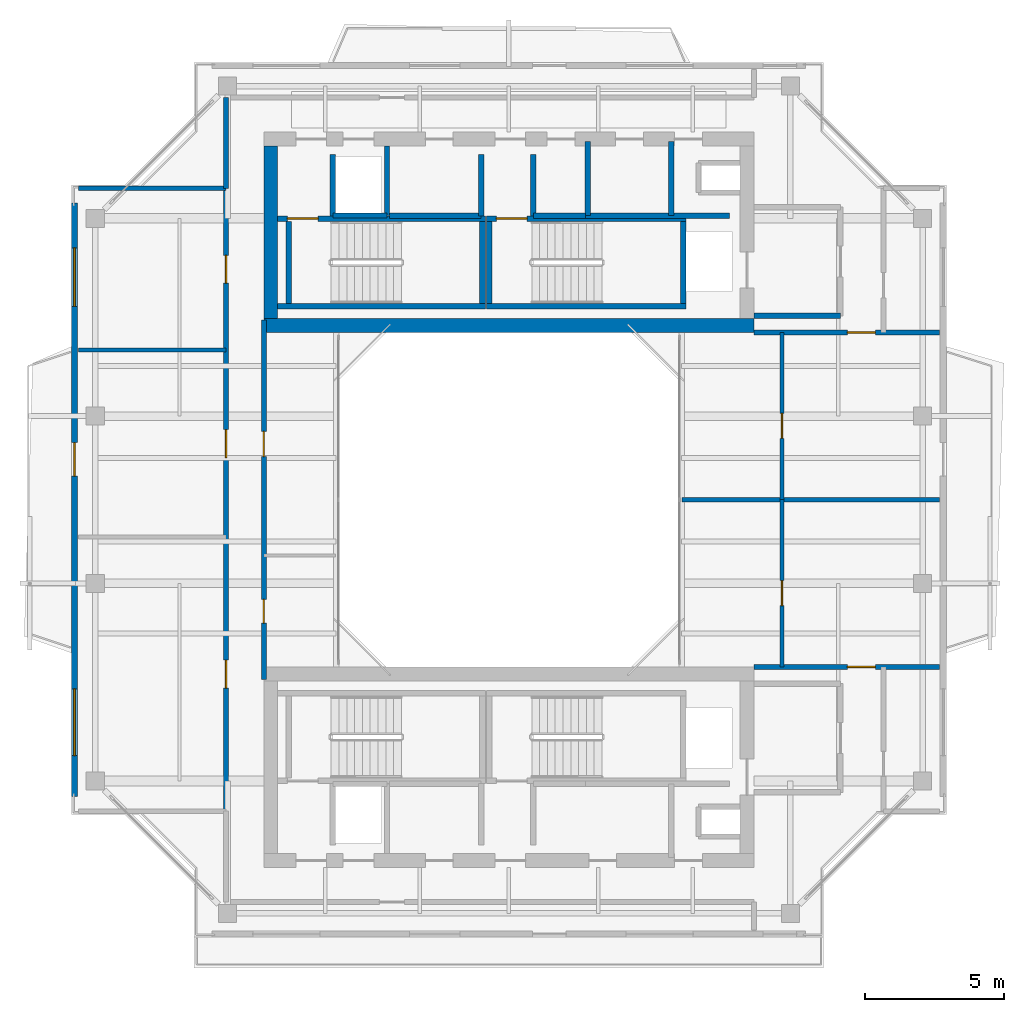
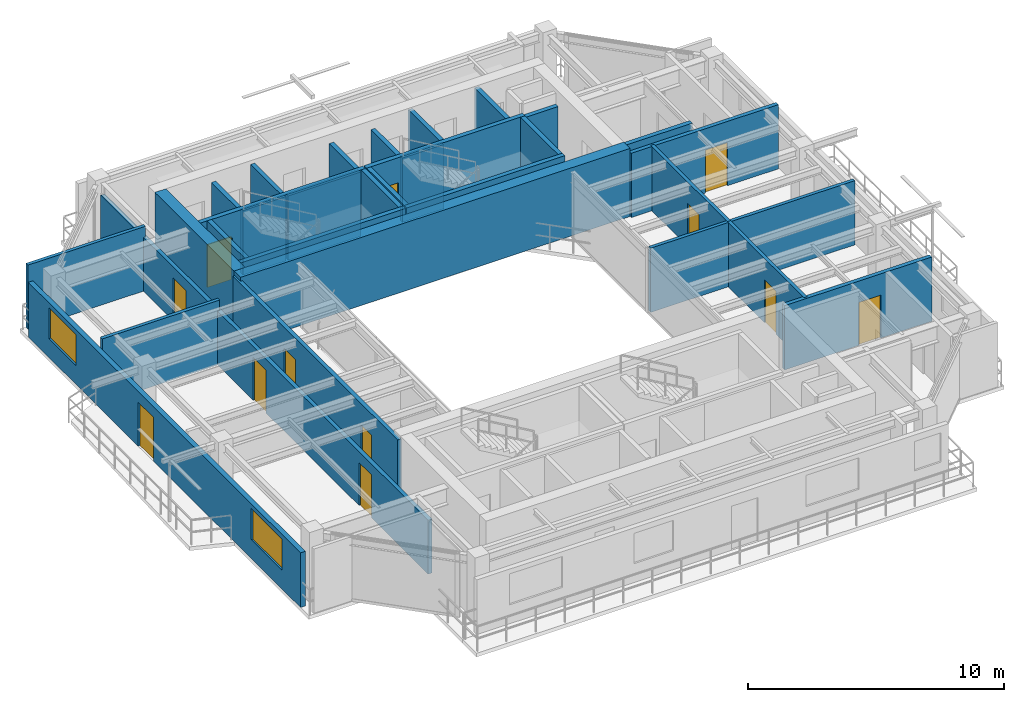
# One storey, part 10 of 15: 32 walls, 12 doors, 2 windows, 14 openings.
"""IFC4 building model written with IfcOpenShell, lengths in metres."""

from ifc_helpers import new_model, si_unit, direction, frame, frame_2d, origin, place, context, subcontext, project, spatial, rectangle, extrude, source, transform, mapped, material, layer, layer_set, type_object, element, fill, save


model = new_model("IFC4")

# Units and contexts
model_context = context("Model", 3, precision=1e-05, world=origin(), true_north=direction((0.0, 1.0)))
body_context = subcontext(model_context, "Body", "Model", "MODEL_VIEW")
ifc_project = project(units=[si_unit("LENGTHUNIT", "METRE"), si_unit("AREAUNIT", "SQUARE_METRE"), si_unit("VOLUMEUNIT", "CUBIC_METRE"), si_unit("PLANEANGLEUNIT", "RADIAN"), si_unit("MASSUNIT", "GRAM", prefix="KILO"), si_unit("THERMODYNAMICTEMPERATUREUNIT", "KELVIN"), si_unit("POWERUNIT", "WATT")], contexts=[model_context])

# Site, building, storey
site_placement = place(None, origin())
site = spatial("IfcSite", under=ifc_project, at=site_placement, CompositionType="ELEMENT")
building_placement = place(site_placement, origin())
building = spatial("IfcBuilding", under=site, at=building_placement, Name="Qiaomeng Ring Towers", CompositionType="ELEMENT")
storey_placement = place(building_placement, frame((0.0, 0.0, 237.25)))
storey = spatial("IfcBuildingStorey", under=building, at=storey_placement, Name="L69", CompositionType="ELEMENT", Elevation=237.25)

# Wall, openings, windows, door
ifc_material_1 = material(Name="Precast concrete C40", Category="concrete")
ifc_layer_1 = layer(ifc_material_1, 0.219970703125, Name="Precast concrete C40")
ifc_layer_set_1 = layer_set([ifc_layer_1], Name="Precast concrete C40")
wall_type_1 = type_object("IfcWallType", Name="ARC-WL-EW2", PredefinedType="STANDARD", material=ifc_layer_set_1)
wall_1_placement = place(storey_placement, frame((3.409912109375, 12.35009765625, 0.0), z_axis=(0.0, 0.0, 1.0), x_axis=(0.0, 1.0, 0.0)))
wall_1 = element("IfcWall", 1, at=wall_1_placement, inside=storey, type_object=wall_type_1, Name="L69 Tower 1 W Exterior Wall", PredefinedType="STANDARD", context=body_context, shape_type="SweptSolid", body=[
    extrude(rectangle(XDim=21.2998046875, YDim=0.219970703125, at=frame_2d((10.64990234375, 0.0))), origin(), (0.0, 0.0, 1.0), 2.610107421875),
])
opening_1_placement = place(wall_1_placement, frame((11.5, 0.0, 0.0)))
opening_1 = element("IfcOpeningElement", 2, at=opening_1_placement, cuts=wall_1, Name="Opening BD1", PredefinedType="OPENING", context=body_context, shape_type="SweptSolid", body=[
    extrude(rectangle(XDim=1.199951171875, YDim=2.10009765625, at=frame_2d((0.60009765625, 1.050048828125))), frame((0.0, 0.119873046875, 0.0), z_axis=(0.0, -1.0, 0.0), x_axis=(1.0, 0.0, 0.0)), (0.0, 0.0, 1.0), 0.239990234375),
])
opening_2_placement = place(wall_1_placement, frame((1.462890625, 0.0, 0.89990234375)))
opening_2 = element("IfcOpeningElement", 3, at=opening_2_placement, cuts=wall_1, Name="Opening WN6", PredefinedType="OPENING", context=body_context, shape_type="SweptSolid", body=[
    extrude(rectangle(XDim=2.39990234375, YDim=1.47998046875, at=frame_2d((1.199951171875, 0.739990234375))), frame((0.0, 0.119873046875, 0.0), z_axis=(0.0, -1.0, 0.0), x_axis=(1.0, 0.0, 0.0)), (0.0, 0.0, 1.0), 0.239990234375),
])
opening_3_placement = place(wall_1_placement, frame((17.587890625, 0.0, 0.89990234375)))
opening_3 = element("IfcOpeningElement", 4, at=opening_3_placement, cuts=wall_1, Name="Opening WN4", PredefinedType="OPENING", context=body_context, shape_type="SweptSolid", body=[
    extrude(rectangle(XDim=2.10009765625, YDim=1.47998046875, at=frame_2d((1.050048828125, 0.739990234375))), frame((0.0, 0.119873046875, 0.0), z_axis=(0.0, -1.0, 0.0), x_axis=(1.0, 0.0, 0.0)), (0.0, 0.0, 1.0), 0.239990234375),
])
ifc_material_2 = material(Name="Low-E dark-grey laminated double glazing", Category="glass")
window_type_1 = type_object("IfcWindowType", Name="ARC-WN-4", PartitioningType="TRIPLE_PANEL_VERTICAL", PredefinedType="WINDOW", material=ifc_material_2)
shared_shape_1 = source(origin(), body_context, "Body", "SweptSolid", [
    extrude(rectangle(XDim=2.10009765625, YDim=1.47998046875, at=frame_2d((1.050048828125, 0.739990234375))), frame((0.0, 0.030029296875, 0.0), z_axis=(0.0, -1.0, 0.0), x_axis=(1.0, 0.0, 0.0)), (0.0, 0.0, 1.0), 0.06005859375),
])
window_1_placement = place(opening_3_placement, origin())
window_1 = element("IfcWindow", 5, at=window_1_placement, inside=storey, type_object=window_type_1, Name="L69 Exterior Window WN4", OverallHeight=1.47998046875, OverallWidth=2.10009765625, PartitioningType="TRIPLE_PANEL_VERTICAL", PredefinedType="WINDOW", context=body_context, shape_type="MappedRepresentation", body=[
    mapped(shared_shape_1, transform((0.0, 0.0, 0.0), x_axis=(1.0, 0.0, 0.0), y_axis=(0.0, 1.0, 0.0), z_axis=(0.0, 0.0, 1.0), scale=1.0)),
])
fill(opening_3, window_1)
window_type_2 = type_object("IfcWindowType", Name="ARC-WN-6", PartitioningType="TRIPLE_PANEL_VERTICAL", PredefinedType="WINDOW", material=ifc_material_2)
shared_shape_2 = source(origin(), body_context, "Body", "SweptSolid", [
    extrude(rectangle(XDim=2.39990234375, YDim=1.47998046875, at=frame_2d((1.199951171875, 0.739990234375))), frame((0.0, 0.030029296875, 0.0), z_axis=(0.0, -1.0, 0.0), x_axis=(1.0, 0.0, 0.0)), (0.0, 0.0, 1.0), 0.06005859375),
])
window_2_placement = place(opening_2_placement, origin())
window_2 = element("IfcWindow", 6, at=window_2_placement, inside=storey, type_object=window_type_2, Name="L69 Exterior Window WN6", OverallHeight=1.47998046875, OverallWidth=2.39990234375, PartitioningType="TRIPLE_PANEL_VERTICAL", PredefinedType="WINDOW", context=body_context, shape_type="MappedRepresentation", body=[
    mapped(shared_shape_2, transform((0.0, 0.0, 0.0), x_axis=(1.0, 0.0, 0.0), y_axis=(0.0, 1.0, 0.0), z_axis=(0.0, 0.0, 1.0), scale=1.0)),
])
fill(opening_2, window_2)
door_type_1 = type_object("IfcDoorType", Name="ARC-DR-BD1", OperationType="NOTDEFINED", PredefinedType="DOOR", material=ifc_material_2)
shared_shape_3 = source(origin(), body_context, "Body", "SweptSolid", [
    extrude(rectangle(XDim=1.199951171875, YDim=2.10009765625, at=frame_2d((0.60009765625, 1.050048828125))), frame((0.0, 0.02490234375, 0.0), z_axis=(0.0, -1.0, 0.0), x_axis=(1.0, 0.0, 0.0)), (0.0, 0.0, 1.0), 0.050048828125),
])
door_1_placement = place(opening_1_placement, frame((1.199951171875, 0.0, 0.0), z_axis=(0.0, 0.0, 1.0), x_axis=(-1.0, 0.0, 0.0)))
door_1 = element("IfcDoor", 7, at=door_1_placement, inside=storey, type_object=door_type_1, Name="L69 W Balcony Glazed Door", OperationType="SINGLE_SWING_LEFT", OverallHeight=2.10009765625, OverallWidth=1.199951171875, PredefinedType="DOOR", context=body_context, shape_type="MappedRepresentation", body=[
    mapped(shared_shape_3, transform((0.0, 0.0, 0.0), x_axis=(1.0, 0.0, 0.0), y_axis=(0.0, 1.0, 0.0), z_axis=(0.0, 0.0, 1.0), scale=1.0)),
])
fill(opening_1, door_1)

# Walls
ifc_material_3 = material(Name="Autoclaved aerated concrete block", Category="concrete")
ifc_layer_2 = layer(ifc_material_3, 0.199951171875, Name="Autoclaved aerated concrete block")
ifc_layer_set_2 = layer_set([ifc_layer_2], Name="Autoclaved aerated concrete block")
wall_type_2 = type_object("IfcWallType", Name="ARC-WL-PW1", PredefinedType="PARTITIONING", material=ifc_layer_set_2)
wall_2_placement = place(storey_placement, frame((27.800048828125, 29.60009765625, 0.0), z_axis=(0.0, 0.0, 1.0), x_axis=(1.0, 0.0, 0.0)))
element("IfcWall", 8, at=wall_2_placement, inside=storey, type_object=wall_type_2, Name="L69 Interior Wall PW1", PredefinedType="PARTITIONING", context=body_context, shape_type="SweptSolid", body=[
    extrude(rectangle(XDim=3.099853515625, YDim=0.199951171875, at=frame_2d((1.5498046875, 0.0))), origin(), (0.0, 0.0, 1.0), 3.070068359375),
])
for number, where, z_axis, x_axis, name in (
    (9, (12.679931640625, 33.18994140625, 0.0), (0.0, 0.0, 1.0), (0.0, 1.0, 0.0), "L69 Interior Wall PW1"),
    (10, (18.0, 33.18994140625, 0.0), (0.0, 0.0, 1.0), (0.0, 1.0, 0.0), "L69 Interior Wall PW1"),
    (11, (19.8798828125, 33.18994140625, 0.0), (0.0, 0.0, 1.0), (0.0, 1.0, 0.0), "L69 Interior Wall PW1"),
):
    element("IfcWall", number, at=place(storey_placement, frame(where, z_axis=z_axis, x_axis=x_axis)), inside=storey, type_object=wall_type_2, Name=name, PredefinedType="PARTITIONING", context=body_context, shape_type="SweptSolid", body=[
        extrude(rectangle(XDim=2.2099609375, YDim=0.199951171875, at=frame_2d((1.10498046875, 0.0))), origin(), (0.0, 0.0, 1.0), 3.070068359375),
    ])
wall_3_placement = place(storey_placement, frame((14.719970703125, 33.199951171875, 0.0), z_axis=(0.0, 0.0, 1.0), x_axis=(1.0, 0.0, 0.0)))
element("IfcWall", 12, at=wall_3_placement, inside=storey, type_object=wall_type_2, Name="L69 Interior Wall PW1", PredefinedType="PARTITIONING", context=body_context, shape_type="SweptSolid", body=[
    extrude(rectangle(XDim=3.280029296875, YDim=0.199951171875, at=frame_2d((1.64013671875, 0.0))), origin(), (0.0, 0.0, 1.0), 3.070068359375),
])
wall_4_placement = place(storey_placement, frame((24.820068359375, 33.199951171875, 0.0), z_axis=(0.0, 0.0, 1.0), x_axis=(0.0, 1.0, 0.0)))
element("IfcWall", 13, at=wall_4_placement, inside=storey, type_object=wall_type_2, Name="L69 Interior Wall PW1", PredefinedType="PARTITIONING", context=body_context, shape_type="SweptSolid", body=[
    extrude(rectangle(XDim=2.650146484375, YDim=0.199951171875, at=frame_2d((1.3251953125, 0.0))), origin(), (0.0, 0.0, 1.0), 3.070068359375),
])
wall_5_placement = place(storey_placement, frame((19.8798828125, 33.199951171875, 0.0), z_axis=(0.0, 0.0, 1.0), x_axis=(1.0, 0.0, 0.0)))
element("IfcWall", 14, at=wall_5_placement, inside=storey, type_object=wall_type_2, Name="L69 Interior Wall PW1", PredefinedType="PARTITIONING", context=body_context, shape_type="SweptSolid", body=[
    extrude(rectangle(XDim=1.8701171875, YDim=0.199951171875, at=frame_2d((0.93505859375, 0.0))), origin(), (0.0, 0.0, 1.0), 3.070068359375),
])
wall_6_placement = place(storey_placement, frame((21.830078125, 33.199951171875, 0.0), z_axis=(0.0, 0.0, 1.0), x_axis=(0.0, 1.0, 0.0)))
element("IfcWall", 15, at=wall_6_placement, inside=storey, type_object=wall_type_2, Name="L69 Interior Wall PW1", PredefinedType="PARTITIONING", context=body_context, shape_type="SweptSolid", body=[
    extrude(rectangle(XDim=2.650146484375, YDim=0.199951171875, at=frame_2d((1.3251953125, 0.0))), origin(), (0.0, 0.0, 1.0), 3.070068359375),
])
wall_7_placement = place(storey_placement, frame((21.75, 33.199951171875, 0.0), z_axis=(0.0, 0.0, 1.0), x_axis=(1.0, 0.0, 0.0)))
element("IfcWall", 16, at=wall_7_placement, inside=storey, type_object=wall_type_2, Name="L69 Interior Wall PW1", PredefinedType="PARTITIONING", context=body_context, shape_type="SweptSolid", body=[
    extrude(rectangle(XDim=5.169921875, YDim=0.199951171875, at=frame_2d((2.5849609375, 0.0))), origin(), (0.0, 0.0, 1.0), 3.070068359375),
])
ifc_layer_3 = layer(ifc_material_3, 0.179931640625, Name="Autoclaved aerated concrete block")
ifc_layer_set_3 = layer_set([ifc_layer_3], Name="Autoclaved aerated concrete block")
wall_type_3 = type_object("IfcWallType", Name="ARC-WL-PW2", PredefinedType="PARTITIONING", material=ifc_layer_set_3)
wall_8_placement = place(storey_placement, frame((8.85009765625, 34.179931640625, 0.0), z_axis=(0.0, 0.0, 1.0), x_axis=(0.0, 1.0, 0.0)))
element("IfcWall", 17, at=wall_8_placement, inside=storey, type_object=wall_type_3, Name="L69 Interior Wall PW2", PredefinedType="PARTITIONING", context=body_context, shape_type="SweptSolid", body=[
    extrude(rectangle(XDim=3.260009765625, YDim=0.179931640625, at=frame_2d((1.6298828125, 0.0))), origin(), (0.0, 0.0, 1.0), 2.569091796875),
])

# Wall, openings, doors
wall_9_placement = place(storey_placement, frame((8.85009765625, 11.820068359375, 0.0), z_axis=(0.0, 0.0, 1.0), x_axis=(0.0, 1.0, 0.0)))
wall_9 = element("IfcWall", 18, at=wall_9_placement, inside=storey, type_object=wall_type_3, Name="L69 Interior Wall PW2", PredefinedType="PARTITIONING", context=body_context, shape_type="SweptSolid", body=[
    extrude(rectangle(XDim=22.35986328125, YDim=0.179931640625, at=frame_2d((11.179931640625, 0.0))), origin(), (0.0, 0.0, 1.0), 2.569091796875),
])
opening_4_placement = place(wall_9_placement, frame((4.419921875, 0.0, 0.0)))
opening_4 = element("IfcOpeningElement", 19, at=opening_4_placement, cuts=wall_9, Name="Opening FD4", PredefinedType="OPENING", context=body_context, shape_type="SweptSolid", body=[
    extrude(rectangle(XDim=1.0, YDim=2.050048828125, at=frame_2d((0.5, 1.02490234375))), frame((0.0, 0.099853515625, 0.0), z_axis=(0.0, -1.0, 0.0), x_axis=(1.0, 0.0, 0.0)), (0.0, 0.0, 1.0), 0.199951171875),
])
opening_5_placement = place(wall_9_placement, frame((12.695068359375, 0.0, 0.0)))
opening_5 = element("IfcOpeningElement", 20, at=opening_5_placement, cuts=wall_9, Name="Opening FD4", PredefinedType="OPENING", context=body_context, shape_type="SweptSolid", body=[
    extrude(rectangle(XDim=1.0, YDim=2.050048828125, at=frame_2d((0.5, 1.02490234375))), frame((0.0, 0.099853515625, 0.0), z_axis=(0.0, -1.0, 0.0), x_axis=(1.0, 0.0, 0.0)), (0.0, 0.0, 1.0), 0.199951171875),
])
opening_6_placement = place(wall_9_placement, frame((18.955078125, 0.0, 0.0)))
opening_6 = element("IfcOpeningElement", 21, at=opening_6_placement, cuts=wall_9, Name="Opening FD4", PredefinedType="OPENING", context=body_context, shape_type="SweptSolid", body=[
    extrude(rectangle(XDim=1.0, YDim=2.050048828125, at=frame_2d((0.5, 1.02490234375))), frame((0.0, 0.099853515625, 0.0), z_axis=(0.0, -1.0, 0.0), x_axis=(1.0, 0.0, 0.0)), (0.0, 0.0, 1.0), 0.199951171875),
])
ifc_material_4 = material(Name="Engineered fire-rated oak timber", Category="wood")
door_type_2 = type_object("IfcDoorType", Name="ARC-DR-FD4", OperationType="NOTDEFINED", PredefinedType="DOOR", material=ifc_material_4)
shared_shape_4 = source(origin(), body_context, "Body", "SweptSolid", [
    extrude(rectangle(XDim=1.0, YDim=2.050048828125, at=frame_2d((0.5, 1.02490234375))), frame((0.0, 0.02490234375, 0.0), z_axis=(0.0, -1.0, 0.0), x_axis=(1.0, 0.0, 0.0)), (0.0, 0.0, 1.0), 0.050048828125),
])
door_2_placement = place(opening_4_placement, origin())
door_2 = element("IfcDoor", 22, at=door_2_placement, inside=storey, type_object=door_type_2, Name="L69 Door FD4", OperationType="SINGLE_SWING_LEFT", OverallHeight=2.050048828125, OverallWidth=1.0, PredefinedType="DOOR", context=body_context, shape_type="MappedRepresentation", body=[
    mapped(shared_shape_4, transform((0.0, 0.0, 0.0), x_axis=(1.0, 0.0, 0.0), y_axis=(0.0, 1.0, 0.0), z_axis=(0.0, 0.0, 1.0), scale=1.0)),
])
fill(opening_4, door_2)
door_3_placement = place(opening_5_placement, origin())
door_3 = element("IfcDoor", 23, at=door_3_placement, inside=storey, type_object=door_type_2, Name="L69 Door FD4", OperationType="SINGLE_SWING_RIGHT", OverallHeight=2.050048828125, OverallWidth=1.0, PredefinedType="DOOR", context=body_context, shape_type="MappedRepresentation", body=[
    mapped(shared_shape_4, transform((0.0, 0.0, 0.0), x_axis=(1.0, 0.0, 0.0), y_axis=(0.0, 1.0, 0.0), z_axis=(0.0, 0.0, 1.0), scale=1.0)),
])
fill(opening_5, door_3)
door_4_placement = place(opening_6_placement, origin())
door_4 = element("IfcDoor", 24, at=door_4_placement, inside=storey, type_object=door_type_2, Name="L69 Door FD4", OperationType="SINGLE_SWING_LEFT", OverallHeight=2.050048828125, OverallWidth=1.0, PredefinedType="DOOR", context=body_context, shape_type="MappedRepresentation", body=[
    mapped(shared_shape_4, transform((0.0, 0.0, 0.0), x_axis=(1.0, 0.0, 0.0), y_axis=(0.0, 1.0, 0.0), z_axis=(0.0, 0.0, 1.0), scale=1.0)),
])
fill(opening_6, door_4)

wall_10_placement = place(storey_placement, frame((10.199951171875, 16.550048828125, 0.0), z_axis=(0.0, 0.0, 1.0), x_axis=(0.0, 1.0, 0.0)))
wall_10 = element("IfcWall", 25, at=wall_10_placement, inside=storey, type_object=wall_type_3, Name="L69 Interior Wall PW2", PredefinedType="PARTITIONING", context=body_context, shape_type="SweptSolid", body=[
    extrude(rectangle(XDim=12.89990234375, YDim=0.179931640625, at=frame_2d((6.449951171875, 0.0))), origin(), (0.0, 0.0, 1.0), 3.070068359375),
])
opening_7_placement = place(wall_10_placement, frame((2.02490234375, 0.0, 0.0)))
opening_7 = element("IfcOpeningElement", 26, at=opening_7_placement, cuts=wall_10, Name="Opening ID2", PredefinedType="OPENING", context=body_context, shape_type="SweptSolid", body=[
    extrude(rectangle(XDim=0.85009765625, YDim=2.050048828125, at=frame_2d((0.425048828125, 1.02490234375))), frame((0.0, 0.099853515625, 0.0), z_axis=(0.0, -1.0, 0.0), x_axis=(1.0, 0.0, 0.0)), (0.0, 0.0, 1.0), 0.199951171875),
])
opening_8_placement = place(wall_10_placement, frame((8.0, 0.0, 0.0)))
opening_8 = element("IfcOpeningElement", 27, at=opening_8_placement, cuts=wall_10, Name="Opening ID1", PredefinedType="OPENING", context=body_context, shape_type="SweptSolid", body=[
    extrude(rectangle(XDim=0.89990234375, YDim=2.050048828125, at=frame_2d((0.449951171875, 1.02490234375))), frame((0.0, 0.099853515625, 0.0), z_axis=(0.0, -1.0, 0.0), x_axis=(1.0, 0.0, 0.0)), (0.0, 0.0, 1.0), 0.199951171875),
])
ifc_material_5 = material(Name="Moisture-resistant engineered timber", Category="wood")
door_type_3 = type_object("IfcDoorType", Name="ARC-DR-ID2", OperationType="NOTDEFINED", PredefinedType="DOOR", material=ifc_material_5)
shared_shape_5 = source(origin(), body_context, "Body", "SweptSolid", [
    extrude(rectangle(XDim=0.85009765625, YDim=2.050048828125, at=frame_2d((0.425048828125, 1.02490234375))), frame((0.0, 0.02490234375, 0.0), z_axis=(0.0, -1.0, 0.0), x_axis=(1.0, 0.0, 0.0)), (0.0, 0.0, 1.0), 0.050048828125),
])
door_5_placement = place(opening_7_placement, origin())
door_5 = element("IfcDoor", 28, at=door_5_placement, inside=storey, type_object=door_type_3, Name="L69 Door ID2", OperationType="SINGLE_SWING_RIGHT", OverallHeight=2.050048828125, OverallWidth=0.85009765625, PredefinedType="DOOR", context=body_context, shape_type="MappedRepresentation", body=[
    mapped(shared_shape_5, transform((0.0, 0.0, 0.0), x_axis=(1.0, 0.0, 0.0), y_axis=(0.0, 1.0, 0.0), z_axis=(0.0, 0.0, 1.0), scale=1.0)),
])
fill(opening_7, door_5)
ifc_material_6 = material(Name="Engineered oak timber", Category="wood")
door_type_4 = type_object("IfcDoorType", Name="ARC-DR-ID1", OperationType="NOTDEFINED", PredefinedType="DOOR", material=ifc_material_6)
shared_shape_6 = source(origin(), body_context, "Body", "SweptSolid", [
    extrude(rectangle(XDim=0.89990234375, YDim=2.050048828125, at=frame_2d((0.449951171875, 1.02490234375))), frame((0.0, 0.02490234375, 0.0), z_axis=(0.0, -1.0, 0.0), x_axis=(1.0, 0.0, 0.0)), (0.0, 0.0, 1.0), 0.050048828125),
])
door_6_placement = place(opening_8_placement, origin())
door_6 = element("IfcDoor", 29, at=door_6_placement, inside=storey, type_object=door_type_4, Name="L69 Door ID1", OperationType="SINGLE_SWING_LEFT", OverallHeight=2.050048828125, OverallWidth=0.89990234375, PredefinedType="DOOR", context=body_context, shape_type="MappedRepresentation", body=[
    mapped(shared_shape_6, transform((0.0, 0.0, 0.0), x_axis=(1.0, 0.0, 0.0), y_axis=(0.0, 1.0, 0.0), z_axis=(0.0, 0.0, 1.0), scale=1.0)),
])
fill(opening_8, door_6)

# Wall, opening, door
wall_11_placement = place(storey_placement, frame((27.800048828125, 17.0, 0.0), z_axis=(0.0, 0.0, 1.0), x_axis=(1.0, 0.0, 0.0)))
wall_11 = element("IfcWall", 30, at=wall_11_placement, inside=storey, type_object=wall_type_3, Name="L69 Interior Wall PW2", PredefinedType="PARTITIONING", context=body_context, shape_type="SweptSolid", body=[
    extrude(rectangle(XDim=6.64990234375, YDim=0.179931640625, at=frame_2d((3.324951171875, 0.0))), origin(), (0.0, 0.0, 1.0), 3.070068359375),
])
opening_9_placement = place(wall_11_placement, frame((3.35009765625, 0.0, 0.0)))
opening_9 = element("IfcOpeningElement", 31, at=opening_9_placement, cuts=wall_11, Name="Opening FD4", PredefinedType="OPENING", context=body_context, shape_type="SweptSolid", body=[
    extrude(rectangle(XDim=1.0, YDim=2.050048828125, at=frame_2d((0.5, 1.02490234375))), frame((0.0, 0.099853515625, 0.0), z_axis=(0.0, -1.0, 0.0), x_axis=(1.0, 0.0, 0.0)), (0.0, 0.0, 1.0), 0.199951171875),
])
door_7_placement = place(opening_9_placement, origin())
door_7 = element("IfcDoor", 32, at=door_7_placement, inside=storey, type_object=door_type_2, Name="L69 Door FD4", OperationType="SINGLE_SWING_RIGHT", OverallHeight=2.050048828125, OverallWidth=1.0, PredefinedType="DOOR", context=body_context, shape_type="MappedRepresentation", body=[
    mapped(shared_shape_4, transform((0.0, 0.0, 0.0), x_axis=(1.0, 0.0, 0.0), y_axis=(0.0, 1.0, 0.0), z_axis=(0.0, 0.0, 1.0), scale=1.0)),
])
fill(opening_9, door_7)

wall_12_placement = place(storey_placement, frame((27.800048828125, 29.0, 0.0), z_axis=(0.0, 0.0, 1.0), x_axis=(1.0, 0.0, 0.0)))
wall_12 = element("IfcWall", 33, at=wall_12_placement, inside=storey, type_object=wall_type_3, Name="L69 Interior Wall PW2", PredefinedType="PARTITIONING", context=body_context, shape_type="SweptSolid", body=[
    extrude(rectangle(XDim=6.64990234375, YDim=0.179931640625, at=frame_2d((3.324951171875, 0.0))), origin(), (0.0, 0.0, 1.0), 3.070068359375),
])
opening_10_placement = place(wall_12_placement, frame((3.35009765625, 0.0, 0.0)))
opening_10 = element("IfcOpeningElement", 34, at=opening_10_placement, cuts=wall_12, Name="Opening FD4", PredefinedType="OPENING", context=body_context, shape_type="SweptSolid", body=[
    extrude(rectangle(XDim=1.0, YDim=2.050048828125, at=frame_2d((0.5, 1.02490234375))), frame((0.0, 0.099853515625, 0.0), z_axis=(0.0, -1.0, 0.0), x_axis=(1.0, 0.0, 0.0)), (0.0, 0.0, 1.0), 0.199951171875),
])
door_8_placement = place(opening_10_placement, origin())
door_8 = element("IfcDoor", 35, at=door_8_placement, inside=storey, type_object=door_type_2, Name="L69 Door FD4", OperationType="SINGLE_SWING_LEFT", OverallHeight=2.050048828125, OverallWidth=1.0, PredefinedType="DOOR", context=body_context, shape_type="MappedRepresentation", body=[
    mapped(shared_shape_4, transform((0.0, 0.0, 0.0), x_axis=(1.0, 0.0, 0.0), y_axis=(0.0, 1.0, 0.0), z_axis=(0.0, 0.0, 1.0), scale=1.0)),
])
fill(opening_10, door_8)

# Walls
ifc_material_7 = material(Name="Gypsum fireboard steel-stud partition", Category="steel")
ifc_layer_4 = layer(ifc_material_7, 0.14990234375, Name="Gypsum fireboard steel-stud partition")
ifc_layer_set_4 = layer_set([ifc_layer_4], Name="Gypsum fireboard steel-stud partition")
wall_type_4 = type_object("IfcWallType", Name="ARC-WL-PW3", PredefinedType="PARTITIONING", material=ifc_layer_set_4)
for number, where, z_axis, x_axis, name in (
    (36, (3.550048828125, 34.179931640625, 0.0), (0.0, 0.0, 1.0), (1.0, 0.0, 0.0), "L69 Interior Wall PW3"),
    (37, (3.550048828125, 28.3701171875, 0.0), (0.0, 0.0, 1.0), (1.0, 0.0, 0.0), "L69 Interior Wall PW3"),
):
    element("IfcWall", number, at=place(storey_placement, frame(where, z_axis=z_axis, x_axis=x_axis)), inside=storey, type_object=wall_type_4, Name=name, PredefinedType="PARTITIONING", context=body_context, shape_type="SweptSolid", body=[
        extrude(rectangle(XDim=5.300048828125, YDim=0.14990234375, at=frame_2d((2.64990234375, 0.0))), origin(), (0.0, 0.0, 1.0), 3.070068359375),
    ])

# Wall, opening, door
wall_13_placement = place(storey_placement, frame((28.800048828125, 17.0, 0.0), z_axis=(0.0, 0.0, 1.0), x_axis=(0.0, 1.0, 0.0)))
wall_13 = element("IfcWall", 38, at=wall_13_placement, inside=storey, type_object=wall_type_4, Name="L69 Interior Wall PW3", PredefinedType="PARTITIONING", context=body_context, shape_type="SweptSolid", body=[
    extrude(rectangle(XDim=6.0, YDim=0.14990234375, at=frame_2d((3.0, 0.0))), origin(), (0.0, 0.0, 1.0), 3.070068359375),
])
opening_11_placement = place(wall_13_placement, frame((2.199951171875, 0.0, 0.0)))
opening_11 = element("IfcOpeningElement", 39, at=opening_11_placement, cuts=wall_13, Name="Opening ID1", PredefinedType="OPENING", context=body_context, shape_type="SweptSolid", body=[
    extrude(rectangle(XDim=0.89990234375, YDim=2.050048828125, at=frame_2d((0.449951171875, 1.02490234375))), frame((0.0, 0.0849609375, 0.0), z_axis=(0.0, -1.0, 0.0), x_axis=(1.0, 0.0, 0.0)), (0.0, 0.0, 1.0), 0.169921875),
])
door_9_placement = place(opening_11_placement, origin())
door_9 = element("IfcDoor", 40, at=door_9_placement, inside=storey, type_object=door_type_4, Name="L69 Door ID1", OperationType="SINGLE_SWING_RIGHT", OverallHeight=2.050048828125, OverallWidth=0.89990234375, PredefinedType="DOOR", context=body_context, shape_type="MappedRepresentation", body=[
    mapped(shared_shape_6, transform((0.0, 0.0, 0.0), x_axis=(1.0, 0.0, 0.0), y_axis=(0.0, 1.0, 0.0), z_axis=(0.0, 0.0, 1.0), scale=1.0)),
])
fill(opening_11, door_9)

wall_14_placement = place(storey_placement, frame((28.800048828125, 23.0, 0.0), z_axis=(0.0, 0.0, 1.0), x_axis=(0.0, 1.0, 0.0)))
wall_14 = element("IfcWall", 41, at=wall_14_placement, inside=storey, type_object=wall_type_4, Name="L69 Interior Wall PW3", PredefinedType="PARTITIONING", context=body_context, shape_type="SweptSolid", body=[
    extrude(rectangle(XDim=6.0, YDim=0.14990234375, at=frame_2d((3.0, 0.0))), origin(), (0.0, 0.0, 1.0), 3.070068359375),
])
opening_12_placement = place(wall_14_placement, frame((2.199951171875, 0.0, 0.0)))
opening_12 = element("IfcOpeningElement", 42, at=opening_12_placement, cuts=wall_14, Name="Opening ID1", PredefinedType="OPENING", context=body_context, shape_type="SweptSolid", body=[
    extrude(rectangle(XDim=0.89990234375, YDim=2.050048828125, at=frame_2d((0.449951171875, 1.02490234375))), frame((0.0, 0.0849609375, 0.0), z_axis=(0.0, -1.0, 0.0), x_axis=(1.0, 0.0, 0.0)), (0.0, 0.0, 1.0), 0.169921875),
])
door_10_placement = place(opening_12_placement, origin())
door_10 = element("IfcDoor", 43, at=door_10_placement, inside=storey, type_object=door_type_4, Name="L69 Door ID1", OperationType="SINGLE_SWING_LEFT", OverallHeight=2.050048828125, OverallWidth=0.89990234375, PredefinedType="DOOR", context=body_context, shape_type="MappedRepresentation", body=[
    mapped(shared_shape_6, transform((0.0, 0.0, 0.0), x_axis=(1.0, 0.0, 0.0), y_axis=(0.0, 1.0, 0.0), z_axis=(0.0, 0.0, 1.0), scale=1.0)),
])
fill(opening_12, door_10)

# Walls
wall_15_placement = place(storey_placement, frame((25.219970703125, 23.0, 0.0), z_axis=(0.0, 0.0, 1.0), x_axis=(1.0, 0.0, 0.0)))
element("IfcWall", 44, at=wall_15_placement, inside=storey, type_object=wall_type_4, Name="L69 Interior Wall PW3", PredefinedType="PARTITIONING", context=body_context, shape_type="SweptSolid", body=[
    extrude(rectangle(XDim=9.22998046875, YDim=0.14990234375, at=frame_2d((4.614990234375, 0.0))), origin(), (0.0, 0.0, 1.0), 3.070068359375),
])
ifc_material_8 = material(Name="Concrete C40", Category="concrete")
ifc_layer_5 = layer(ifc_material_8, 0.199951171875, Name="Concrete C40")
ifc_layer_set_5 = layer_set([ifc_layer_5], Name="Concrete C40")
wall_type_5 = type_object("IfcWallType", Name="STR-WL-STSHAFT", PredefinedType="SHEAR", material=ifc_layer_set_5)
wall_16_placement = place(storey_placement, frame((12.679931640625, 33.199951171875, 0.0), z_axis=(0.0, 0.0, 1.0), x_axis=(1.0, 0.0, 0.0)))
element("IfcWall", 45, at=wall_16_placement, inside=storey, type_object=wall_type_5, Name="L69 Lift LP5 Shaft Back Wall", PredefinedType="SHEAR", context=body_context, shape_type="SweptSolid", body=[
    extrude(rectangle(XDim=1.940185546875, YDim=0.179931640625, at=frame_2d((0.97021484375, 0.0))), origin(), (0.0, 0.0, 1.0), 3.070068359375),
])
wall_17_placement = place(storey_placement, frame((14.6201171875, 33.199951171875, 0.0), z_axis=(0.0, 0.0, 1.0), x_axis=(0.0, 1.0, 0.0)))
element("IfcWall", 46, at=wall_17_placement, inside=storey, type_object=wall_type_5, Name="L69 Lift LP5-LP3 Shaft Divider Wall", PredefinedType="SHEAR", context=body_context, shape_type="SweptSolid", body=[
    extrude(rectangle(XDim=2.5, YDim=0.179931640625, at=frame_2d((1.25, 0.0))), origin(), (0.0, 0.0, 1.0), 3.070068359375),
])
wall_18_placement = place(storey_placement, frame((10.699951171875, 29.949951171875, 0.0), z_axis=(0.0, 0.0, 1.0), x_axis=(1.0, 0.0, 0.0)))
element("IfcWall", 47, at=wall_18_placement, inside=storey, type_object=wall_type_5, Name="L69 Stair ST1 South Shaft Shear Wall", PredefinedType="SHEAR", context=body_context, shape_type="SweptSolid", body=[
    extrude(rectangle(XDim=7.449951171875, YDim=0.199951171875, at=frame_2d((3.72509765625, 0.0))), origin(), (0.0, 0.0, 1.0), 3.25),
])

# Wall, opening, door
wall_19_placement = place(storey_placement, frame((10.699951171875, 33.090087890625, 0.0), z_axis=(0.0, 0.0, 1.0), x_axis=(1.0, 0.0, 0.0)))
wall_19 = element("IfcWall", 48, at=wall_19_placement, inside=storey, type_object=wall_type_5, Name="L69 Stair ST1 North Shaft Shear Wall", PredefinedType="SHEAR", context=body_context, shape_type="SweptSolid", body=[
    extrude(rectangle(XDim=7.449951171875, YDim=0.199951171875, at=frame_2d((3.72509765625, 0.0))), origin(), (0.0, 0.0, 1.0), 3.25),
])
opening_13_placement = place(wall_19_placement, frame((0.35009765625, 0.0, 0.0)))
opening_13 = element("IfcOpeningElement", 49, at=opening_13_placement, cuts=wall_19, Name="Opening FD3", PredefinedType="OPENING", context=body_context, shape_type="SweptSolid", body=[
    extrude(rectangle(XDim=1.10009765625, YDim=2.050048828125, at=frame_2d((0.550048828125, 1.02490234375))), frame((0.0, 0.10986328125, 0.0), z_axis=(0.0, -1.0, 0.0), x_axis=(1.0, 0.0, 0.0)), (0.0, 0.0, 1.0), 0.219970703125),
])
ifc_material_9 = material(Name="Galvanised steel", Category="steel")
door_type_5 = type_object("IfcDoorType", Name="ARC-DR-FD3", OperationType="NOTDEFINED", PredefinedType="DOOR", material=ifc_material_9)
shared_shape_7 = source(origin(), body_context, "Body", "SweptSolid", [
    extrude(rectangle(XDim=1.10009765625, YDim=2.050048828125, at=frame_2d((0.550048828125, 1.02490234375))), frame((0.0, 0.02490234375, 0.0), z_axis=(0.0, -1.0, 0.0), x_axis=(1.0, 0.0, 0.0)), (0.0, 0.0, 1.0), 0.050048828125),
])
door_11_placement = place(opening_13_placement, origin())
door_11 = element("IfcDoor", 50, at=door_11_placement, inside=storey, type_object=door_type_5, Name="L69 Stair ST1 Exit Door", OperationType="SINGLE_SWING_LEFT", OverallHeight=2.050048828125, OverallWidth=1.10009765625, PredefinedType="DOOR", context=body_context, shape_type="MappedRepresentation", body=[
    mapped(shared_shape_7, transform((0.0, 0.0, 0.0), x_axis=(1.0, 0.0, 0.0), y_axis=(0.0, 1.0, 0.0), z_axis=(0.0, 0.0, 1.0), scale=1.0)),
])
fill(opening_13, door_11)

# Walls
for number, where, z_axis, x_axis, name in (
    (51, (11.10009765625, 30.050048828125, 0.0), (0.0, 0.0, 1.0), (0.0, 1.0, 0.0), "L69 Stair ST1 West Shaft Shear Wall"),
    (52, (18.050048828125, 30.050048828125, 0.0), (0.0, 0.0, 1.0), (0.0, 1.0, 0.0), "L69 Stair ST1 East Shaft Shear Wall"),
):
    element("IfcWall", number, at=place(storey_placement, frame(where, z_axis=z_axis, x_axis=x_axis)), inside=storey, type_object=wall_type_5, Name=name, PredefinedType="SHEAR", context=body_context, shape_type="SweptSolid", body=[
        extrude(rectangle(XDim=2.93994140625, YDim=0.199951171875, at=frame_2d((1.469970703125, 0.0))), origin(), (0.0, 0.0, 1.0), 3.25),
    ])
wall_20_placement = place(storey_placement, frame((18.199951171875, 29.949951171875, 0.0), z_axis=(0.0, 0.0, 1.0), x_axis=(1.0, 0.0, 0.0)))
element("IfcWall", 53, at=wall_20_placement, inside=storey, type_object=wall_type_5, Name="L69 Stair ST2 South Shaft Shear Wall", PredefinedType="SHEAR", context=body_context, shape_type="SweptSolid", body=[
    extrude(rectangle(XDim=7.150146484375, YDim=0.199951171875, at=frame_2d((3.5751953125, 0.0))), origin(), (0.0, 0.0, 1.0), 3.25),
])

# Wall, opening, door
wall_21_placement = place(storey_placement, frame((18.199951171875, 33.090087890625, 0.0), z_axis=(0.0, 0.0, 1.0), x_axis=(1.0, 0.0, 0.0)))
wall_21 = element("IfcWall", 54, at=wall_21_placement, inside=storey, type_object=wall_type_5, Name="L69 Stair ST2 North Shaft Shear Wall", PredefinedType="SHEAR", context=body_context, shape_type="SweptSolid", body=[
    extrude(rectangle(XDim=7.150146484375, YDim=0.199951171875, at=frame_2d((3.5751953125, 0.0))), origin(), (0.0, 0.0, 1.0), 3.25),
])
opening_14_placement = place(wall_21_placement, frame((0.35009765625, 0.0, 0.0)))
opening_14 = element("IfcOpeningElement", 55, at=opening_14_placement, cuts=wall_21, Name="Opening FD3", PredefinedType="OPENING", context=body_context, shape_type="SweptSolid", body=[
    extrude(rectangle(XDim=1.10009765625, YDim=2.050048828125, at=frame_2d((0.550048828125, 1.02490234375))), frame((0.0, 0.10986328125, 0.0), z_axis=(0.0, -1.0, 0.0), x_axis=(1.0, 0.0, 0.0)), (0.0, 0.0, 1.0), 0.219970703125),
])
door_12_placement = place(opening_14_placement, origin())
door_12 = element("IfcDoor", 56, at=door_12_placement, inside=storey, type_object=door_type_5, Name="L69 Stair ST2 Exit Door", OperationType="SINGLE_SWING_LEFT", OverallHeight=2.050048828125, OverallWidth=1.10009765625, PredefinedType="DOOR", context=body_context, shape_type="MappedRepresentation", body=[
    mapped(shared_shape_7, transform((0.0, 0.0, 0.0), x_axis=(1.0, 0.0, 0.0), y_axis=(0.0, 1.0, 0.0), z_axis=(0.0, 0.0, 1.0), scale=1.0)),
])
fill(opening_14, door_12)

# Walls
for number, where, z_axis, x_axis, name in (
    (57, (18.300048828125, 30.050048828125, 0.0), (0.0, 0.0, 1.0), (0.0, 1.0, 0.0), "L69 Stair ST2 West Shaft Shear Wall"),
    (58, (25.25, 30.050048828125, 0.0), (0.0, 0.0, 1.0), (0.0, 1.0, 0.0), "L69 Stair ST2 East Shaft Shear Wall"),
):
    element("IfcWall", number, at=place(storey_placement, frame(where, z_axis=z_axis, x_axis=x_axis)), inside=storey, type_object=wall_type_5, Name=name, PredefinedType="SHEAR", context=body_context, shape_type="SweptSolid", body=[
        extrude(rectangle(XDim=2.93994140625, YDim=0.199951171875, at=frame_2d((1.469970703125, 0.0))), origin(), (0.0, 0.0, 1.0), 3.25),
    ])
ifc_layer_6 = layer(ifc_material_8, 0.5, Name="Concrete C40")
ifc_layer_set_6 = layer_set([ifc_layer_6], Name="Concrete C40")
wall_type_6 = type_object("IfcWallType", Name="STR-WL-SW3", PredefinedType="SHEAR", material=ifc_layer_set_6)
wall_22_placement = place(storey_placement, frame((10.199951171875, 29.25, 0.0), z_axis=(0.0, 0.0, 1.0), x_axis=(1.0, 0.0, 0.0)))
element("IfcWall", 59, at=wall_22_placement, inside=storey, type_object=wall_type_6, Name="L69 T1NC south core shear wall", PredefinedType="SHEAR", context=body_context, shape_type="SweptSolid", body=[
    extrude(rectangle(XDim=17.60009765625, YDim=0.5, at=frame_2d((8.800048828125, 0.0))), origin(), (0.0, 0.0, 1.0), 3.25),
])
wall_23_placement = place(storey_placement, frame((10.449951171875, 29.5, 0.0), z_axis=(0.0, 0.0, 1.0), x_axis=(0.0, 1.0, 0.0)))
element("IfcWall", 60, at=wall_23_placement, inside=storey, type_object=wall_type_6, Name="L69 T1NC west core shear wall", PredefinedType="SHEAR", context=body_context, shape_type="SweptSolid", body=[
    extrude(rectangle(XDim=6.199951171875, YDim=0.5, at=frame_2d((3.10009765625, 0.0))), origin(), (0.0, 0.0, 1.0), 3.25),
])

save(model, "model.ifc")
